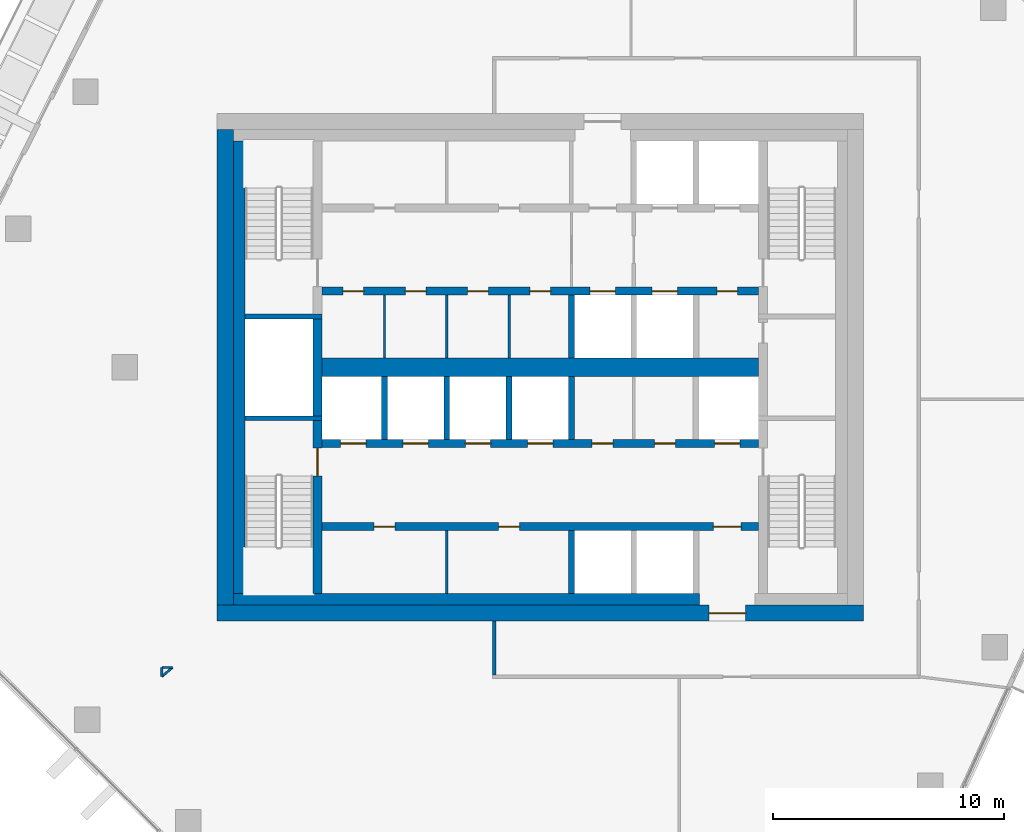
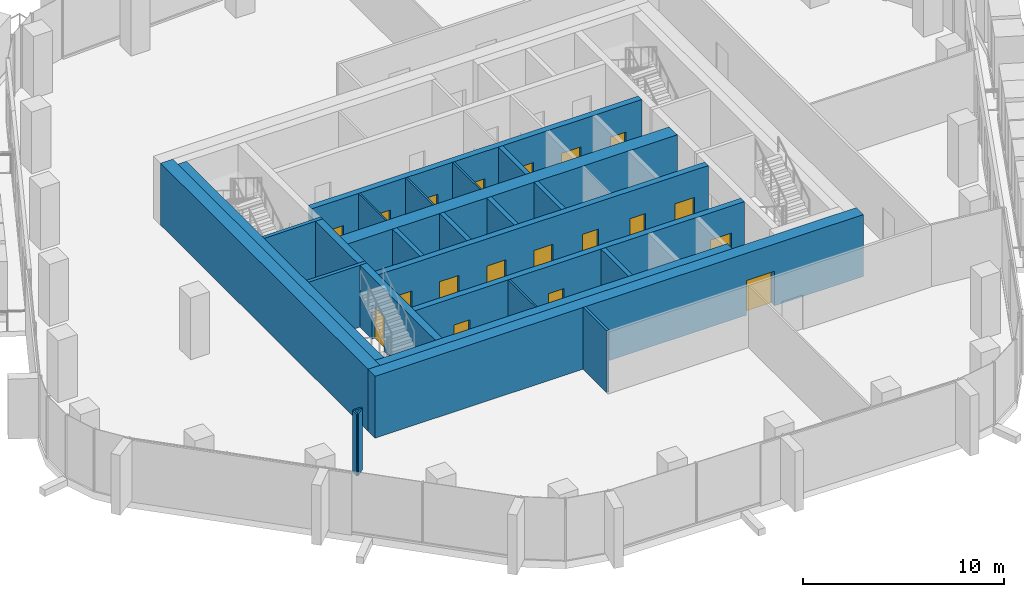
# One storey, part 11 of 21: 26 walls, 19 doors, 19 openings.
"""IFC4 building model written with IfcOpenShell, lengths in metres."""

import ifcopenshell
import ifcopenshell.guid

model = None  # the IFC model being written
_history = None  # IfcOwnerHistory: only IFC2X3 demands one
_inside = {}  # id of a spatial element -> (the spatial element, [elements in it])
_under = {}  # id of a project, library or spatial element -> (it, [spatial elements below it])
_declared = {}  # id of a project -> (the project, [libraries it declares])
_typed = {}  # id of a type object -> (the type object, [elements of that type])
_made_of = {}  # id of a material, layer set ... -> (it, [elements and type objects made of it])


def new_model(schema):
    """Start an empty IFC model of exactly this schema.

    Asked for "IFC4X3", IfcOpenShell would pick the latest addendum, in which some entities
    have other attributes; the version numbers below select the first issue.
    IFC2X3 requires an IfcOwnerHistory on every rooted entity: one is made here for all.
    """
    global model, _history
    if schema == "IFC4X3":
        model = ifcopenshell.file(schema_version=(4, 3, 0, 0))
    else:
        model = ifcopenshell.file(schema=schema)
    _inside.clear()
    _under.clear()
    _declared.clear()
    _typed.clear()
    _made_of.clear()
    _history = None
    if model.schema == "IFC2X3":
        org = make("IfcOrganization", Name="unknown")
        user = make(
            "IfcPersonAndOrganization",
            ThePerson=make("IfcPerson", FamilyName="unknown"),
            TheOrganization=org,
        )
        app = make(
            "IfcApplication",
            ApplicationDeveloper=org,
            Version="unknown",
            ApplicationFullName="unknown",
            ApplicationIdentifier="unknown",
        )
        _history = make(
            "IfcOwnerHistory",
            OwningUser=user,
            OwningApplication=app,
            ChangeAction="ADDED",
            CreationDate=0,
        )
    return model


def make(cls, **values):
    """One entity of the class cls with the attributes given. An attribute that is None is left unset."""
    return model.create_entity(
        cls, **{name: value for name, value in values.items() if value is not None}
    )


def rooted(cls, **values):
    """An entity with a GlobalId (a new one), such as an element, a storey or a relation."""
    return make(cls, GlobalId=ifcopenshell.guid.new(), OwnerHistory=_history, **values)


def si_unit(unit_type, name, prefix=None):
    """IfcSIUnit, for example si_unit("LENGTHUNIT", "METRE", prefix="MILLI")."""
    return make("IfcSIUnit", UnitType=unit_type, Prefix=prefix, Name=name)


def assignment(units):
    """IfcUnitAssignment: the units of a project."""
    return None if units is None else make("IfcUnitAssignment", Units=units)


def point(xyz):
    """IfcCartesianPoint."""
    return None if xyz is None else make("IfcCartesianPoint", Coordinates=xyz)


def direction(xyz):
    """IfcDirection."""
    return None if xyz is None else make("IfcDirection", DirectionRatios=xyz)


def frame(location, z_axis=None, x_axis=None):
    """IfcAxis2Placement3D, a coordinate frame: its origin and axes. An axis left out is left unset."""
    return make(
        "IfcAxis2Placement3D",
        Location=point(location),
        Axis=direction(z_axis),
        RefDirection=direction(x_axis),
    )


def frame_2d(location, x_axis=None):
    """IfcAxis2Placement2D, a coordinate frame in the plane: its origin and x axis."""
    return make(
        "IfcAxis2Placement2D", Location=point(location), RefDirection=direction(x_axis)
    )


def origin():
    """The frame at (0, 0, 0) with its axes left unset."""
    return frame((0.0, 0.0, 0.0))


def place(relative_to, where):
    """IfcLocalPlacement: puts the frame where relative to a parent placement (None: the world)."""
    return make(
        "IfcLocalPlacement", PlacementRelTo=relative_to, RelativePlacement=where
    )


def context(
    kind, dimensions, precision=None, world=None, true_north=None, identifier=None
):
    """IfcGeometricRepresentationContext, for example the 3D "Model" context."""
    return make(
        "IfcGeometricRepresentationContext",
        ContextIdentifier=identifier,
        ContextType=kind,
        CoordinateSpaceDimension=dimensions,
        Precision=precision,
        WorldCoordinateSystem=world,
        TrueNorth=true_north,
    )


def subcontext(parent, identifier, kind, view, scale=None):
    """IfcGeometricRepresentationSubContext, for example "Body" below "Model"."""
    return make(
        "IfcGeometricRepresentationSubContext",
        ContextIdentifier=identifier,
        ContextType=kind,
        ParentContext=parent,
        TargetScale=scale,
        TargetView=view,
    )


def project(units=None, contexts=None):
    """IfcProject with its units and contexts."""
    return rooted(
        "IfcProject",
        Name="project",
        RepresentationContexts=contexts,
        UnitsInContext=assignment(units),
    )


def spatial(cls, under=None, at=None, **own):
    """A site, building, storey or space (cls), placed at a placement, below another one or the project."""
    s = rooted(cls, ObjectPlacement=at, **own)
    if under is not None:
        _under.setdefault(under.id(), (under, []))[1].append(s)
    return s


def profile(cls, at=None, kind="AREA", **sizes):
    """A parametric profile (cls). Its sizes go by their IFC names, for example OverallWidth=200.0."""
    return make(cls, ProfileType=kind, Position=at, **sizes)


def rectangle(**sizes):
    """IfcRectangleProfileDef."""
    return profile("IfcRectangleProfileDef", **sizes)


def extrude(swept, where, along, depth):
    """IfcExtrudedAreaSolid: the profile swept, set in the frame where, extruded along a direction by depth."""
    return make(
        "IfcExtrudedAreaSolid",
        SweptArea=swept,
        Position=where,
        ExtrudedDirection=direction(along),
        Depth=depth,
    )


def shape(context_of_items, identifier, shape_type, items):
    """IfcShapeRepresentation: the items that make up one representation, for example the "Body"."""
    return make(
        "IfcShapeRepresentation",
        ContextOfItems=context_of_items,
        RepresentationIdentifier=identifier,
        RepresentationType=shape_type,
        Items=items,
    )


def material(Name=None, Category=None):
    """IfcMaterial."""
    return make("IfcMaterial", Name=Name, Category=Category)


def layer(
    of_material, thickness, ventilated=None, Name=None, Category=None, Priority=None
):
    """IfcMaterialLayer: one layer of a wall or slab, of a material (None: an air gap)."""
    return make(
        "IfcMaterialLayer",
        Material=of_material,
        LayerThickness=thickness,
        IsVentilated=ventilated,
        Name=Name,
        Category=Category,
        Priority=Priority,
    )


def layer_set(layers, Name=None):
    """IfcMaterialLayerSet."""
    return make("IfcMaterialLayerSet", MaterialLayers=layers, LayerSetName=Name)


def made_of(thing, what):
    """Note that an element or type object is made of a material, layer set ...; save() writes the relation."""
    if what is not None:
        _made_of.setdefault(what.id(), (what, []))[1].append(thing)
    return thing


def type_object(cls, material=None, **own):
    """A type object (cls), such as IfcWallType, which elements share."""
    return made_of(rooted(cls, **own), material)


def element(
    cls,
    number,
    at=None,
    inside=None,
    cuts=None,
    type_object=None,
    material=None,
    context=None,
    identifier="Body",
    shape_type=None,
    held_by="IfcProductDefinitionShape",
    body=None,
    shapes=None,
    **own,
):
    """One element of the class cls, such as IfcWall. Its Tag is "e" and its number.

    at: its placement. inside: the storey or other place that contains it. cuts: it is an
    opening in that element (IfcRelVoidsElement). A single representation is given by context,
    identifier, shape_type and body (its items); several are given by shapes. held_by: the class
    of the entity that holds the representations. save() writes the other relations.
    """
    e = rooted(cls, Tag="e%d" % number, ObjectPlacement=at, **own)
    if body is not None:
        shapes = [shape(context, identifier, shape_type, body)]
    if shapes is not None:
        e.Representation = make(held_by, Representations=shapes)
    if inside is not None:
        _inside.setdefault(inside.id(), (inside, []))[1].append(e)
    if cuts is not None:
        rooted(
            "IfcRelVoidsElement", RelatingBuildingElement=cuts, RelatedOpeningElement=e
        )
    if type_object is not None:
        _typed.setdefault(type_object.id(), (type_object, []))[1].append(e)
    return made_of(e, material)


def fill(opening, filler):
    """IfcRelFillsElement: the door or window that sits in an opening."""
    return rooted(
        "IfcRelFillsElement",
        RelatingOpeningElement=opening,
        RelatedBuildingElement=filler,
    )


def aggregate(whole, parts):
    """IfcRelAggregates: a whole, such as a stair, and the parts it consists of."""
    return rooted("IfcRelAggregates", RelatingObject=whole, RelatedObjects=parts)


def save(model, path):
    """Write the relations noted so far, then the file.

    IfcRelAggregates (storeys below a building ...), IfcRelContainedInSpatialStructure (elements
    in a storey), IfcRelDefinesByType, IfcRelAssociatesMaterial and IfcRelDeclares: one each for
    every whole, place, type object, material and project.
    """
    for whole, parts in _under.values():
        aggregate(whole, parts)
    for where, things in _inside.values():
        rooted(
            "IfcRelContainedInSpatialStructure",
            RelatedElements=things,
            RelatingStructure=where,
        )
    for kind, things in _typed.values():
        rooted("IfcRelDefinesByType", RelatedObjects=things, RelatingType=kind)
    for what, things in _made_of.values():
        rooted("IfcRelAssociatesMaterial", RelatedObjects=things, RelatingMaterial=what)
    for by, libraries in _declared.values():
        rooted("IfcRelDeclares", RelatingContext=by, RelatedDefinitions=libraries)
    model.write(path)


model = new_model("IFC4")

# Units and contexts
model_context = context("Model", 3, precision=1e-05, world=origin(), true_north=direction((0.0, 1.0)))
body_context = subcontext(model_context, "Body", "Model", "MODEL_VIEW")
ifc_project = project(units=[si_unit("LENGTHUNIT", "METRE"), si_unit("AREAUNIT", "SQUARE_METRE"), si_unit("VOLUMEUNIT", "CUBIC_METRE"), si_unit("PLANEANGLEUNIT", "RADIAN"), si_unit("MASSUNIT", "GRAM", prefix="KILO")], contexts=[model_context])

# Site, building, storey
site_placement = place(None, origin())
site = spatial("IfcSite", under=ifc_project, at=site_placement, CompositionType="ELEMENT")
building_placement = place(site_placement, origin())
building = spatial("IfcBuilding", under=site, at=building_placement, Name="Dongbaek Canopy Tower", CompositionType="ELEMENT")
storey_placement = place(building_placement, frame((0.0, 0.0, 232.800048828125)))
storey = spatial("IfcBuildingStorey", under=building, at=storey_placement, Name="L48", CompositionType="ELEMENT", Elevation=232.800048828125)

# Wall
ifc_material_1 = material(Name="Concrete C60/75", Category="concrete")
ifc_layer_1 = layer(ifc_material_1, 0.800048828125)
ifc_layer_set_1 = layer_set([ifc_layer_1], Name="Core central wall 800 Concrete C60/75")
wall_type_1 = type_object("IfcWallType", Name="Core central wall 800 Concrete C60/75", PredefinedType="SHEAR", material=ifc_layer_set_1)
wall_1_placement = place(storey_placement, frame((-9.449951171875, 0.0, 0.0), z_axis=(0.0, 0.0, 1.0), x_axis=(1.0, 0.0, 0.0)))
element("IfcWall", 1, at=wall_1_placement, inside=storey, type_object=wall_type_1, Name="Core wall", PredefinedType="SHEAR", context=body_context, shape_type="SweptSolid", body=[
    extrude(rectangle(XDim=18.89990234375, YDim=0.800048828125, at=frame_2d((9.449951171875, 0.0))), origin(), (0.0, 0.0, 1.0), 3.75),
])

# Wall, openings, doors
ifc_material_2 = material(Name="Concrete C60/75", Category="concrete")
ifc_layer_2 = layer(ifc_material_2, 0.35009765625)
ifc_layer_set_2 = layer_set([ifc_layer_2], Name="Core lobby wall 350 Concrete C60/75")
wall_type_2 = type_object("IfcWallType", Name="Core lobby wall 350 Concrete C60/75", PredefinedType="SHEAR", material=ifc_layer_set_2)
wall_2_placement = place(storey_placement, frame((9.449951171875, 3.300048828125, 0.0), z_axis=(0.0, 0.0, 1.0), x_axis=(-1.0, 0.0, 0.0)))
wall_2 = element("IfcWall", 2, at=wall_2_placement, inside=storey, type_object=wall_type_2, Name="Core wall", PredefinedType="SHEAR", context=body_context, shape_type="SweptSolid", body=[
    extrude(rectangle(XDim=18.89990234375, YDim=0.35009765625, at=frame_2d((9.449951171875, 0.0))), origin(), (0.0, 0.0, 1.0), 3.75),
])
opening_1_placement = place(wall_2_placement, frame((6.199951171875, 0.0, 0.0)))
opening_1 = element("IfcOpeningElement", 3, at=opening_1_placement, cuts=wall_2, Name="Opening L48-D011", PredefinedType="OPENING", context=body_context, shape_type="SweptSolid", body=[
    extrude(rectangle(XDim=1.10009765625, YDim=2.10009765625, at=frame_2d((0.550048828125, 1.050048828125))), frame((0.0, 0.18505859375, 0.0), z_axis=(0.0, -1.0, 0.0), x_axis=(1.0, 0.0, 0.0)), (0.0, 0.0, 1.0), 0.3701171875),
])
opening_2_placement = place(wall_2_placement, frame((3.5, 0.0, 0.0)))
opening_2 = element("IfcOpeningElement", 4, at=opening_2_placement, cuts=wall_2, Name="Opening L48-D012", PredefinedType="OPENING", context=body_context, shape_type="SweptSolid", body=[
    extrude(rectangle(XDim=1.10009765625, YDim=2.10009765625, at=frame_2d((0.550048828125, 1.050048828125))), frame((0.0, 0.18505859375, 0.0), z_axis=(0.0, -1.0, 0.0), x_axis=(1.0, 0.0, 0.0)), (0.0, 0.0, 1.0), 0.3701171875),
])
opening_3_placement = place(wall_2_placement, frame((0.89990234375, 0.0, 0.0)))
opening_3 = element("IfcOpeningElement", 5, at=opening_3_placement, cuts=wall_2, Name="Opening L48-D013", PredefinedType="OPENING", context=body_context, shape_type="SweptSolid", body=[
    extrude(rectangle(XDim=0.89990234375, YDim=2.10009765625, at=frame_2d((0.449951171875, 1.050048828125))), frame((0.0, 0.18505859375, 0.0), z_axis=(0.0, -1.0, 0.0), x_axis=(1.0, 0.0, 0.0)), (0.0, 0.0, 1.0), 0.3701171875),
])
opening_4_placement = place(wall_2_placement, frame((17.10009765625, 0.0, 0.0)))
opening_4 = element("IfcOpeningElement", 6, at=opening_4_placement, cuts=wall_2, Name="Opening L48-D023", PredefinedType="OPENING", context=body_context, shape_type="SweptSolid", body=[
    extrude(rectangle(XDim=0.89990234375, YDim=2.10009765625, at=frame_2d((0.449951171875, 1.050048828125))), frame((0.0, 0.18505859375, 0.0), z_axis=(0.0, -1.0, 0.0), x_axis=(1.0, 0.0, 0.0)), (0.0, 0.0, 1.0), 0.3701171875),
])
opening_5_placement = place(wall_2_placement, frame((14.39990234375, 0.0, 0.0)))
opening_5 = element("IfcOpeningElement", 7, at=opening_5_placement, cuts=wall_2, Name="Opening L48-D024", PredefinedType="OPENING", context=body_context, shape_type="SweptSolid", body=[
    extrude(rectangle(XDim=0.89990234375, YDim=2.10009765625, at=frame_2d((0.449951171875, 1.050048828125))), frame((0.0, 0.18505859375, 0.0), z_axis=(0.0, -1.0, 0.0), x_axis=(1.0, 0.0, 0.0)), (0.0, 0.0, 1.0), 0.3701171875),
])
opening_6_placement = place(wall_2_placement, frame((11.699951171875, 0.0, 0.0)))
opening_6 = element("IfcOpeningElement", 8, at=opening_6_placement, cuts=wall_2, Name="Opening L48-D025", PredefinedType="OPENING", context=body_context, shape_type="SweptSolid", body=[
    extrude(rectangle(XDim=0.89990234375, YDim=2.10009765625, at=frame_2d((0.449951171875, 1.050048828125))), frame((0.0, 0.18505859375, 0.0), z_axis=(0.0, -1.0, 0.0), x_axis=(1.0, 0.0, 0.0)), (0.0, 0.0, 1.0), 0.3701171875),
])
opening_7_placement = place(wall_2_placement, frame((9.0, 0.0, 0.0)))
opening_7 = element("IfcOpeningElement", 9, at=opening_7_placement, cuts=wall_2, Name="Opening L48-D026", PredefinedType="OPENING", context=body_context, shape_type="SweptSolid", body=[
    extrude(rectangle(XDim=0.89990234375, YDim=2.10009765625, at=frame_2d((0.449951171875, 1.050048828125))), frame((0.0, 0.18505859375, 0.0), z_axis=(0.0, -1.0, 0.0), x_axis=(1.0, 0.0, 0.0)), (0.0, 0.0, 1.0), 0.3701171875),
])
ifc_material_3 = material(Name="Steel", Category="steel")
door_type_1 = type_object("IfcDoorType", Name="Core room door 900 x 2100", OperationType="SINGLE_SWING_LEFT", PredefinedType="DOOR", material=ifc_material_3)
door_1_placement = place(opening_3_placement, origin())
door_1 = element("IfcDoor", 10, at=door_1_placement, inside=storey, type_object=door_type_1, Name="Door L48-D013", OperationType="SINGLE_SWING_LEFT", OverallHeight=2.10009765625, OverallWidth=0.89990234375, PredefinedType="DOOR", context=body_context, shape_type="SweptSolid", body=[
    extrude(rectangle(XDim=0.89990234375, YDim=2.10009765625, at=frame_2d((0.449951171875, 1.050048828125))), frame((0.0, 0.02490234375, 0.0), z_axis=(0.0, -1.0, 0.0), x_axis=(1.0, 0.0, 0.0)), (0.0, 0.0, 1.0), 0.050048828125),
])
fill(opening_3, door_1)
door_2_placement = place(opening_4_placement, origin())
door_2 = element("IfcDoor", 11, at=door_2_placement, inside=storey, type_object=door_type_1, Name="Door L48-D023", OperationType="SINGLE_SWING_RIGHT", OverallHeight=2.10009765625, OverallWidth=0.89990234375, PredefinedType="DOOR", context=body_context, shape_type="SweptSolid", body=[
    extrude(rectangle(XDim=0.89990234375, YDim=2.10009765625, at=frame_2d((0.449951171875, 1.050048828125))), frame((0.0, 0.02490234375, 0.0), z_axis=(0.0, -1.0, 0.0), x_axis=(1.0, 0.0, 0.0)), (0.0, 0.0, 1.0), 0.050048828125),
])
fill(opening_4, door_2)
door_3_placement = place(opening_5_placement, origin())
door_3 = element("IfcDoor", 12, at=door_3_placement, inside=storey, type_object=door_type_1, Name="Door L48-D024", OperationType="SINGLE_SWING_LEFT", OverallHeight=2.10009765625, OverallWidth=0.89990234375, PredefinedType="DOOR", context=body_context, shape_type="SweptSolid", body=[
    extrude(rectangle(XDim=0.89990234375, YDim=2.10009765625, at=frame_2d((0.449951171875, 1.050048828125))), frame((0.0, 0.02490234375, 0.0), z_axis=(0.0, -1.0, 0.0), x_axis=(1.0, 0.0, 0.0)), (0.0, 0.0, 1.0), 0.050048828125),
])
fill(opening_5, door_3)
door_4_placement = place(opening_6_placement, origin())
door_4 = element("IfcDoor", 13, at=door_4_placement, inside=storey, type_object=door_type_1, Name="Door L48-D025", OperationType="SINGLE_SWING_RIGHT", OverallHeight=2.10009765625, OverallWidth=0.89990234375, PredefinedType="DOOR", context=body_context, shape_type="SweptSolid", body=[
    extrude(rectangle(XDim=0.89990234375, YDim=2.10009765625, at=frame_2d((0.449951171875, 1.050048828125))), frame((0.0, 0.02490234375, 0.0), z_axis=(0.0, -1.0, 0.0), x_axis=(1.0, 0.0, 0.0)), (0.0, 0.0, 1.0), 0.050048828125),
])
fill(opening_6, door_4)
door_5_placement = place(opening_7_placement, origin())
door_5 = element("IfcDoor", 14, at=door_5_placement, inside=storey, type_object=door_type_1, Name="Door L48-D026", OperationType="SINGLE_SWING_LEFT", OverallHeight=2.10009765625, OverallWidth=0.89990234375, PredefinedType="DOOR", context=body_context, shape_type="SweptSolid", body=[
    extrude(rectangle(XDim=0.89990234375, YDim=2.10009765625, at=frame_2d((0.449951171875, 1.050048828125))), frame((0.0, 0.02490234375, 0.0), z_axis=(0.0, -1.0, 0.0), x_axis=(1.0, 0.0, 0.0)), (0.0, 0.0, 1.0), 0.050048828125),
])
fill(opening_7, door_5)
ifc_material_4 = material(Name="Stainless steel", Category="steel")
door_type_2 = type_object("IfcDoorType", Name="Lift landing door 1100 x 2100", OperationType="DOUBLE_DOOR_SLIDING", PredefinedType="DOOR", material=ifc_material_4)
door_6_placement = place(opening_1_placement, origin())
door_6 = element("IfcDoor", 15, at=door_6_placement, inside=storey, type_object=door_type_2, Name="Landing door SV1", OperationType="DOUBLE_DOOR_SLIDING", OverallHeight=2.10009765625, OverallWidth=1.10009765625, PredefinedType="DOOR", context=body_context, shape_type="SweptSolid", body=[
    extrude(rectangle(XDim=1.10009765625, YDim=2.10009765625, at=frame_2d((0.550048828125, 1.050048828125))), frame((0.0, 0.02490234375, 0.0), z_axis=(0.0, -1.0, 0.0), x_axis=(1.0, 0.0, 0.0)), (0.0, 0.0, 1.0), 0.050048828125),
])
fill(opening_1, door_6)
door_7_placement = place(opening_2_placement, origin())
door_7 = element("IfcDoor", 16, at=door_7_placement, inside=storey, type_object=door_type_2, Name="Landing door FF3", OperationType="DOUBLE_DOOR_SLIDING", OverallHeight=2.10009765625, OverallWidth=1.10009765625, PredefinedType="DOOR", context=body_context, shape_type="SweptSolid", body=[
    extrude(rectangle(XDim=1.10009765625, YDim=2.10009765625, at=frame_2d((0.550048828125, 1.050048828125))), frame((0.0, 0.02490234375, 0.0), z_axis=(0.0, -1.0, 0.0), x_axis=(1.0, 0.0, 0.0)), (0.0, 0.0, 1.0), 0.050048828125),
])
fill(opening_2, door_7)

wall_3_placement = place(storey_placement, frame((-9.449951171875, -3.300048828125, 0.0), z_axis=(0.0, 0.0, 1.0), x_axis=(1.0, 0.0, 0.0)))
wall_3 = element("IfcWall", 17, at=wall_3_placement, inside=storey, type_object=wall_type_2, Name="Core wall", PredefinedType="SHEAR", context=body_context, shape_type="SweptSolid", body=[
    extrude(rectangle(XDim=18.89990234375, YDim=0.35009765625, at=frame_2d((9.449951171875, 0.0))), origin(), (0.0, 0.0, 1.0), 3.75),
])
opening_8_placement = place(wall_3_placement, frame((0.800048828125, 0.0, 0.0)))
opening_8 = element("IfcOpeningElement", 18, at=opening_8_placement, cuts=wall_3, Name="Opening L48-D014", PredefinedType="OPENING", context=body_context, shape_type="SweptSolid", body=[
    extrude(rectangle(XDim=1.10009765625, YDim=2.10009765625, at=frame_2d((0.550048828125, 1.050048828125))), frame((0.0, 0.18505859375, 0.0), z_axis=(0.0, -1.0, 0.0), x_axis=(1.0, 0.0, 0.0)), (0.0, 0.0, 1.0), 0.3701171875),
])
opening_9_placement = place(wall_3_placement, frame((3.5, 0.0, 0.0)))
opening_9 = element("IfcOpeningElement", 19, at=opening_9_placement, cuts=wall_3, Name="Opening L48-D015", PredefinedType="OPENING", context=body_context, shape_type="SweptSolid", body=[
    extrude(rectangle(XDim=1.10009765625, YDim=2.10009765625, at=frame_2d((0.550048828125, 1.050048828125))), frame((0.0, 0.18505859375, 0.0), z_axis=(0.0, -1.0, 0.0), x_axis=(1.0, 0.0, 0.0)), (0.0, 0.0, 1.0), 0.3701171875),
])
opening_10_placement = place(wall_3_placement, frame((6.199951171875, 0.0, 0.0)))
opening_10 = element("IfcOpeningElement", 20, at=opening_10_placement, cuts=wall_3, Name="Opening L48-D016", PredefinedType="OPENING", context=body_context, shape_type="SweptSolid", body=[
    extrude(rectangle(XDim=1.10009765625, YDim=2.10009765625, at=frame_2d((0.550048828125, 1.050048828125))), frame((0.0, 0.18505859375, 0.0), z_axis=(0.0, -1.0, 0.0), x_axis=(1.0, 0.0, 0.0)), (0.0, 0.0, 1.0), 0.3701171875),
])
opening_11_placement = place(wall_3_placement, frame((8.89990234375, 0.0, 0.0)))
opening_11 = element("IfcOpeningElement", 21, at=opening_11_placement, cuts=wall_3, Name="Opening L48-D017", PredefinedType="OPENING", context=body_context, shape_type="SweptSolid", body=[
    extrude(rectangle(XDim=1.10009765625, YDim=2.10009765625, at=frame_2d((0.550048828125, 1.050048828125))), frame((0.0, 0.18505859375, 0.0), z_axis=(0.0, -1.0, 0.0), x_axis=(1.0, 0.0, 0.0)), (0.0, 0.0, 1.0), 0.3701171875),
])
opening_12_placement = place(wall_3_placement, frame((17.0, 0.0, 0.0)))
opening_12 = element("IfcOpeningElement", 22, at=opening_12_placement, cuts=wall_3, Name="Opening L48-D018", PredefinedType="OPENING", context=body_context, shape_type="SweptSolid", body=[
    extrude(rectangle(XDim=1.10009765625, YDim=2.10009765625, at=frame_2d((0.550048828125, 1.050048828125))), frame((0.0, 0.18505859375, 0.0), z_axis=(0.0, -1.0, 0.0), x_axis=(1.0, 0.0, 0.0)), (0.0, 0.0, 1.0), 0.3701171875),
])
opening_13_placement = place(wall_3_placement, frame((11.699951171875, 0.0, 0.0)))
opening_13 = element("IfcOpeningElement", 23, at=opening_13_placement, cuts=wall_3, Name="Opening L48-D027", PredefinedType="OPENING", context=body_context, shape_type="SweptSolid", body=[
    extrude(rectangle(XDim=0.89990234375, YDim=2.10009765625, at=frame_2d((0.449951171875, 1.050048828125))), frame((0.0, 0.18505859375, 0.0), z_axis=(0.0, -1.0, 0.0), x_axis=(1.0, 0.0, 0.0)), (0.0, 0.0, 1.0), 0.3701171875),
])
opening_14_placement = place(wall_3_placement, frame((14.39990234375, 0.0, 0.0)))
opening_14 = element("IfcOpeningElement", 24, at=opening_14_placement, cuts=wall_3, Name="Opening L48-D028", PredefinedType="OPENING", context=body_context, shape_type="SweptSolid", body=[
    extrude(rectangle(XDim=0.89990234375, YDim=2.10009765625, at=frame_2d((0.449951171875, 1.050048828125))), frame((0.0, 0.18505859375, 0.0), z_axis=(0.0, -1.0, 0.0), x_axis=(1.0, 0.0, 0.0)), (0.0, 0.0, 1.0), 0.3701171875),
])
door_8_placement = place(opening_13_placement, origin())
door_8 = element("IfcDoor", 25, at=door_8_placement, inside=storey, type_object=door_type_1, Name="Door L48-D027", OperationType="SINGLE_SWING_RIGHT", OverallHeight=2.10009765625, OverallWidth=0.89990234375, PredefinedType="DOOR", context=body_context, shape_type="SweptSolid", body=[
    extrude(rectangle(XDim=0.89990234375, YDim=2.10009765625, at=frame_2d((0.449951171875, 1.050048828125))), frame((0.0, 0.02490234375, 0.0), z_axis=(0.0, -1.0, 0.0), x_axis=(1.0, 0.0, 0.0)), (0.0, 0.0, 1.0), 0.050048828125),
])
fill(opening_13, door_8)
door_9_placement = place(opening_14_placement, origin())
door_9 = element("IfcDoor", 26, at=door_9_placement, inside=storey, type_object=door_type_1, Name="Door L48-D028", OperationType="SINGLE_SWING_LEFT", OverallHeight=2.10009765625, OverallWidth=0.89990234375, PredefinedType="DOOR", context=body_context, shape_type="SweptSolid", body=[
    extrude(rectangle(XDim=0.89990234375, YDim=2.10009765625, at=frame_2d((0.449951171875, 1.050048828125))), frame((0.0, 0.02490234375, 0.0), z_axis=(0.0, -1.0, 0.0), x_axis=(1.0, 0.0, 0.0)), (0.0, 0.0, 1.0), 0.050048828125),
])
fill(opening_14, door_9)
door_10_placement = place(opening_8_placement, origin())
door_10 = element("IfcDoor", 27, at=door_10_placement, inside=storey, type_object=door_type_2, Name="Landing door MR1", OperationType="DOUBLE_DOOR_SLIDING", OverallHeight=2.10009765625, OverallWidth=1.10009765625, PredefinedType="DOOR", context=body_context, shape_type="SweptSolid", body=[
    extrude(rectangle(XDim=1.10009765625, YDim=2.10009765625, at=frame_2d((0.550048828125, 1.050048828125))), frame((0.0, 0.02490234375, 0.0), z_axis=(0.0, -1.0, 0.0), x_axis=(1.0, 0.0, 0.0)), (0.0, 0.0, 1.0), 0.050048828125),
])
fill(opening_8, door_10)
door_11_placement = place(opening_9_placement, origin())
door_11 = element("IfcDoor", 28, at=door_11_placement, inside=storey, type_object=door_type_2, Name="Landing door MR2", OperationType="DOUBLE_DOOR_SLIDING", OverallHeight=2.10009765625, OverallWidth=1.10009765625, PredefinedType="DOOR", context=body_context, shape_type="SweptSolid", body=[
    extrude(rectangle(XDim=1.10009765625, YDim=2.10009765625, at=frame_2d((0.550048828125, 1.050048828125))), frame((0.0, 0.02490234375, 0.0), z_axis=(0.0, -1.0, 0.0), x_axis=(1.0, 0.0, 0.0)), (0.0, 0.0, 1.0), 0.050048828125),
])
fill(opening_9, door_11)
door_12_placement = place(opening_10_placement, origin())
door_12 = element("IfcDoor", 29, at=door_12_placement, inside=storey, type_object=door_type_2, Name="Landing door MR3", OperationType="DOUBLE_DOOR_SLIDING", OverallHeight=2.10009765625, OverallWidth=1.10009765625, PredefinedType="DOOR", context=body_context, shape_type="SweptSolid", body=[
    extrude(rectangle(XDim=1.10009765625, YDim=2.10009765625, at=frame_2d((0.550048828125, 1.050048828125))), frame((0.0, 0.02490234375, 0.0), z_axis=(0.0, -1.0, 0.0), x_axis=(1.0, 0.0, 0.0)), (0.0, 0.0, 1.0), 0.050048828125),
])
fill(opening_10, door_12)
door_13_placement = place(opening_11_placement, origin())
door_13 = element("IfcDoor", 30, at=door_13_placement, inside=storey, type_object=door_type_2, Name="Landing door MR4", OperationType="DOUBLE_DOOR_SLIDING", OverallHeight=2.10009765625, OverallWidth=1.10009765625, PredefinedType="DOOR", context=body_context, shape_type="SweptSolid", body=[
    extrude(rectangle(XDim=1.10009765625, YDim=2.10009765625, at=frame_2d((0.550048828125, 1.050048828125))), frame((0.0, 0.02490234375, 0.0), z_axis=(0.0, -1.0, 0.0), x_axis=(1.0, 0.0, 0.0)), (0.0, 0.0, 1.0), 0.050048828125),
])
fill(opening_11, door_13)
door_14_placement = place(opening_12_placement, origin())
door_14 = element("IfcDoor", 31, at=door_14_placement, inside=storey, type_object=door_type_2, Name="Landing door SV2", OperationType="DOUBLE_DOOR_SLIDING", OverallHeight=2.10009765625, OverallWidth=1.10009765625, PredefinedType="DOOR", context=body_context, shape_type="SweptSolid", body=[
    extrude(rectangle(XDim=1.10009765625, YDim=2.10009765625, at=frame_2d((0.550048828125, 1.050048828125))), frame((0.0, 0.02490234375, 0.0), z_axis=(0.0, -1.0, 0.0), x_axis=(1.0, 0.0, 0.0)), (0.0, 0.0, 1.0), 0.050048828125),
])
fill(opening_12, door_14)

wall_4_placement = place(storey_placement, frame((9.449951171875, -6.89990234375, 0.0), z_axis=(0.0, 0.0, 1.0), x_axis=(-1.0, 0.0, 0.0)))
wall_4 = element("IfcWall", 32, at=wall_4_placement, inside=storey, type_object=wall_type_2, Name="Core wall", PredefinedType="SHEAR", context=body_context, shape_type="SweptSolid", body=[
    extrude(rectangle(XDim=18.89990234375, YDim=0.35009765625, at=frame_2d((9.449951171875, 0.0))), origin(), (0.0, 0.0, 1.0), 3.75),
])
opening_15_placement = place(wall_4_placement, frame((0.75, 0.0, 0.0)))
opening_15 = element("IfcOpeningElement", 33, at=opening_15_placement, cuts=wall_4, Name="Opening L48-D020", PredefinedType="OPENING", context=body_context, shape_type="SweptSolid", body=[
    extrude(rectangle(XDim=1.199951171875, YDim=2.10009765625, at=frame_2d((0.60009765625, 1.050048828125))), frame((0.0, 0.18505859375, 0.0), z_axis=(0.0, -1.0, 0.0), x_axis=(1.0, 0.0, 0.0)), (0.0, 0.0, 1.0), 0.3701171875),
])
opening_16_placement = place(wall_4_placement, frame((15.75, 0.0, 0.0)))
opening_16 = element("IfcOpeningElement", 34, at=opening_16_placement, cuts=wall_4, Name="Opening L48-D029", PredefinedType="OPENING", context=body_context, shape_type="SweptSolid", body=[
    extrude(rectangle(XDim=0.89990234375, YDim=2.10009765625, at=frame_2d((0.449951171875, 1.050048828125))), frame((0.0, 0.18505859375, 0.0), z_axis=(0.0, -1.0, 0.0), x_axis=(1.0, 0.0, 0.0)), (0.0, 0.0, 1.0), 0.3701171875),
])
opening_17_placement = place(wall_4_placement, frame((10.35009765625, 0.0, 0.0)))
opening_17 = element("IfcOpeningElement", 35, at=opening_17_placement, cuts=wall_4, Name="Opening L48-D030", PredefinedType="OPENING", context=body_context, shape_type="SweptSolid", body=[
    extrude(rectangle(XDim=0.89990234375, YDim=2.10009765625, at=frame_2d((0.449951171875, 1.050048828125))), frame((0.0, 0.18505859375, 0.0), z_axis=(0.0, -1.0, 0.0), x_axis=(1.0, 0.0, 0.0)), (0.0, 0.0, 1.0), 0.3701171875),
])
door_15_placement = place(opening_16_placement, origin())
door_15 = element("IfcDoor", 36, at=door_15_placement, inside=storey, type_object=door_type_1, Name="Door L48-D029", OperationType="SINGLE_SWING_RIGHT", OverallHeight=2.10009765625, OverallWidth=0.89990234375, PredefinedType="DOOR", context=body_context, shape_type="SweptSolid", body=[
    extrude(rectangle(XDim=0.89990234375, YDim=2.10009765625, at=frame_2d((0.449951171875, 1.050048828125))), frame((0.0, 0.02490234375, 0.0), z_axis=(0.0, -1.0, 0.0), x_axis=(1.0, 0.0, 0.0)), (0.0, 0.0, 1.0), 0.050048828125),
])
fill(opening_16, door_15)
door_16_placement = place(opening_17_placement, origin())
door_16 = element("IfcDoor", 37, at=door_16_placement, inside=storey, type_object=door_type_1, Name="Door L48-D030", OperationType="SINGLE_SWING_LEFT", OverallHeight=2.10009765625, OverallWidth=0.89990234375, PredefinedType="DOOR", context=body_context, shape_type="SweptSolid", body=[
    extrude(rectangle(XDim=0.89990234375, YDim=2.10009765625, at=frame_2d((0.449951171875, 1.050048828125))), frame((0.0, 0.02490234375, 0.0), z_axis=(0.0, -1.0, 0.0), x_axis=(1.0, 0.0, 0.0)), (0.0, 0.0, 1.0), 0.050048828125),
])
fill(opening_17, door_16)
ifc_material_5 = material(Name="Steel", Category="steel")
door_type_3 = type_object("IfcDoorType", Name="Fire lobby door 1200 x 2100", OperationType="SINGLE_SWING_LEFT", PredefinedType="DOOR", material=ifc_material_5)
door_17_placement = place(opening_15_placement, origin())
door_17 = element("IfcDoor", 38, at=door_17_placement, inside=storey, type_object=door_type_3, Name="Door L48-D020", OperationType="SINGLE_SWING_LEFT", OverallHeight=2.10009765625, OverallWidth=1.199951171875, PredefinedType="DOOR", context=body_context, shape_type="SweptSolid", body=[
    extrude(rectangle(XDim=1.199951171875, YDim=2.10009765625, at=frame_2d((0.60009765625, 1.050048828125))), frame((0.0, 0.02490234375, 0.0), z_axis=(0.0, -1.0, 0.0), x_axis=(1.0, 0.0, 0.0)), (0.0, 0.0, 1.0), 0.050048828125),
])
fill(opening_15, door_17)

# Wall, opening, door
ifc_material_6 = material(Name="Concrete C70/85", Category="concrete")
ifc_layer_3 = layer(ifc_material_6, 0.699951171875)
ifc_layer_set_3 = layer_set([ifc_layer_3], Name="Core outer wall 700 Concrete C70/85")
wall_type_3 = type_object("IfcWallType", Name="Core outer wall 700 Concrete C70/85", PredefinedType="SHEAR", material=ifc_layer_set_3)
wall_5_placement = place(storey_placement, frame((14.0, -10.64990234375, 0.0), z_axis=(0.0, 0.0, 1.0), x_axis=(-1.0, 0.0, 0.0)))
wall_5 = element("IfcWall", 39, at=wall_5_placement, inside=storey, type_object=wall_type_3, Name="Core wall", PredefinedType="SHEAR", context=body_context, shape_type="SweptSolid", body=[
    extrude(rectangle(XDim=28.0, YDim=0.699951171875, at=frame_2d((14.0, 0.0))), origin(), (0.0, 0.0, 1.0), 3.75),
])
opening_18_placement = place(wall_5_placement, frame((5.10009765625, 0.0, 0.0)))
opening_18 = element("IfcOpeningElement", 40, at=opening_18_placement, cuts=wall_5, Name="Opening L48-D019", PredefinedType="OPENING", context=body_context, shape_type="SweptSolid", body=[
    extrude(rectangle(XDim=1.60009765625, YDim=2.10009765625, at=frame_2d((0.800048828125, 1.050048828125))), frame((0.0, 0.35986328125, 0.0), z_axis=(0.0, -1.0, 0.0), x_axis=(1.0, 0.0, 0.0)), (0.0, 0.0, 1.0), 0.719970703125),
])
ifc_material_7 = material(Name="Steel", Category="steel")
door_type_4 = type_object("IfcDoorType", Name="Core exit door 1600 x 2100", OperationType="DOUBLE_DOOR_SINGLE_SWING", PredefinedType="DOOR", material=ifc_material_7)
door_18_placement = place(opening_18_placement, origin())
door_18 = element("IfcDoor", 41, at=door_18_placement, inside=storey, type_object=door_type_4, Name="Core exit door", OperationType="DOUBLE_DOOR_SINGLE_SWING", OverallHeight=2.10009765625, OverallWidth=1.60009765625, PredefinedType="DOOR", context=body_context, shape_type="SweptSolid", body=[
    extrude(rectangle(XDim=1.60009765625, YDim=2.10009765625, at=frame_2d((0.800048828125, 1.050048828125))), frame((0.0, 0.02490234375, 0.0), z_axis=(0.0, -1.0, 0.0), x_axis=(1.0, 0.0, 0.0)), (0.0, 0.0, 1.0), 0.050048828125),
])
fill(opening_18, door_18)

# Walls
wall_6_placement = place(storey_placement, frame((-13.64990234375, -10.300048828125, 0.0), z_axis=(0.0, 0.0, 1.0), x_axis=(0.0, 1.0, 0.0)))
element("IfcWall", 42, at=wall_6_placement, inside=storey, type_object=wall_type_3, Name="Core wall", PredefinedType="SHEAR", context=body_context, shape_type="SweptSolid", body=[
    extrude(rectangle(XDim=20.60009765625, YDim=0.699951171875, at=frame_2d((10.300048828125, 0.0))), origin(), (0.0, 0.0, 1.0), 3.75),
])
ifc_material_8 = material(Name="Concrete C60/75", Category="concrete")
ifc_layer_4 = layer(ifc_material_8, 0.5)
ifc_layer_set_4 = layer_set([ifc_layer_4], Name="Core wall lining 500 Concrete C60/75")
wall_type_4 = type_object("IfcWallType", Name="Core wall lining 500 Concrete C60/75", PredefinedType="SHEAR", material=ifc_layer_set_4)
wall_7_placement = place(storey_placement, frame((6.89990234375, -10.050048828125, 0.0), z_axis=(0.0, 0.0, 1.0), x_axis=(-1.0, 0.0, 0.0)))
element("IfcWall", 43, at=wall_7_placement, inside=storey, type_object=wall_type_4, Name="Core wall lining", PredefinedType="SHEAR", context=body_context, shape_type="SweptSolid", body=[
    extrude(rectangle(XDim=20.199951171875, YDim=0.5, at=frame_2d((10.10009765625, 0.0))), origin(), (0.0, 0.0, 1.0), 3.75),
])
wall_8_placement = place(storey_placement, frame((-13.050048828125, -9.800048828125, 0.0), z_axis=(0.0, 0.0, 1.0), x_axis=(0.0, 1.0, 0.0)))
element("IfcWall", 44, at=wall_8_placement, inside=storey, type_object=wall_type_4, Name="Core wall lining", PredefinedType="SHEAR", context=body_context, shape_type="SweptSolid", body=[
    extrude(rectangle(XDim=19.60009765625, YDim=0.5, at=frame_2d((9.800048828125, 0.0))), origin(), (0.0, 0.0, 1.0), 3.75),
])
ifc_material_9 = material(Name="Gypsum board partition, steel stud, 2 x 15 mm fire board", Category="steel")
ifc_layer_5 = layer(ifc_material_9, 0.14990234375)
ifc_layer_set_5 = layer_set([ifc_layer_5], Name="Fire-rated partition 150 gypsum board")
wall_type_5 = type_object("IfcWallType", Name="Fire-rated partition 150 gypsum board", PredefinedType="PARTITIONING", material=ifc_layer_set_5)
wall_9_placement = place(storey_placement, frame((-2.0, -13.324951171875, 0.0), z_axis=(0.0, 0.0, 1.0), x_axis=(0.0, 1.0, 0.0)))
element("IfcWall", 45, at=wall_9_placement, inside=storey, type_object=wall_type_5, Name="Corridor partition", PredefinedType="PARTITIONING", context=body_context, shape_type="SweptSolid", body=[
    extrude(rectangle(XDim=2.324951171875, YDim=0.14990234375, at=frame_2d((1.16259765625, 0.0))), origin(), (0.0, 0.0, 1.0), 3.75),
])
ifc_material_10 = material(Name="Concrete C40/50", Category="concrete")
ifc_layer_6 = layer(ifc_material_10, 0.25)
ifc_layer_set_6 = layer_set([ifc_layer_6], Name="Lift shaft wall 250 Concrete C40/50")
wall_type_6 = type_object("IfcWallType", Name="Lift shaft wall 250 Concrete C40/50", PredefinedType="SOLIDWALL", material=ifc_layer_set_6)
for number, where, z_axis, x_axis, name in (
    (46, (1.35009765625, -9.800048828125, 0.0), (0.0, 0.0, 1.0), (0.0, 1.0, 0.0), "Lift shaft wall"),
    (47, (1.35009765625, -3.125, 0.0), (0.0, 0.0, 1.0), (0.0, 1.0, 0.0), "Lift shaft wall"),
    (48, (1.35009765625, 0.39990234375, 0.0), (0.0, 0.0, 1.0), (0.0, 1.0, 0.0), "Lift shaft wall"),
    (49, (-1.35009765625, -3.125, 0.0), (0.0, 0.0, 1.0), (0.0, 1.0, 0.0), "Lift shaft wall"),
    (50, (-4.050048828125, -3.125, 0.0), (0.0, 0.0, 1.0), (0.0, 1.0, 0.0), "Lift shaft wall"),
    (51, (-6.75, -3.125, 0.0), (0.0, 0.0, 1.0), (0.0, 1.0, 0.0), "Lift shaft wall"),
):
    element("IfcWall", number, at=place(storey_placement, frame(where, z_axis=z_axis, x_axis=x_axis)), inside=storey, type_object=wall_type_6, Name=name, PredefinedType="SOLIDWALL", context=body_context, shape_type="SweptSolid", body=[
        extrude(rectangle(XDim=2.72509765625, YDim=0.25, at=frame_2d((1.362548828125, 0.0))), origin(), (0.0, 0.0, 1.0), 3.75),
    ])
ifc_material_11 = material(Name="Gypsum board partition, steel stud, 2 x 12.5 mm board", Category="steel")
ifc_layer_7 = layer(ifc_material_11, 0.10009765625)
ifc_layer_set_7 = layer_set([ifc_layer_7], Name="Partition 100 gypsum board")
wall_type_7 = type_object("IfcWallType", Name="Partition 100 gypsum board", PredefinedType="PARTITIONING", material=ifc_layer_set_7)
wall_10_placement = place(storey_placement, frame((-16.392578125, -13.001953125, 0.0), z_axis=(0.0, 0.0, 1.0), x_axis=(1.0, 0.0, 0.0)))
element("IfcWall", 52, at=wall_10_placement, inside=storey, type_object=wall_type_7, Name="Partition", PredefinedType="PARTITIONING", context=body_context, shape_type="SweptSolid", body=[
    extrude(rectangle(XDim=0.461181640625, YDim=0.10009765625, at=frame_2d((0.23046875, 0.0))), origin(), (0.0, 0.0, 1.0), 3.75),
])
wall_11_placement = place(storey_placement, frame((-16.399658203125, -13.400390625, 0.0), z_axis=(0.0, 0.0, 1.0), x_axis=(0.761939317759, 0.647648420096, 0.0)))
element("IfcWall", 53, at=wall_11_placement, inside=storey, type_object=wall_type_7, Name="Partition", PredefinedType="PARTITIONING", context=body_context, shape_type="SweptSolid", body=[
    extrude(rectangle(XDim=0.615234375, YDim=0.10009765625, at=frame_2d((0.3076171875, 0.0))), origin(), (0.0, 0.0, 1.0), 3.75),
])
wall_12_placement = place(storey_placement, frame((-16.400146484375, -13.39990234375, 0.0), z_axis=(0.0, 0.0, 1.0), x_axis=(0.01899167212, 0.999819641931, 0.0)))
element("IfcWall", 54, at=wall_12_placement, inside=storey, type_object=wall_type_7, Name="Partition", PredefinedType="PARTITIONING", context=body_context, shape_type="SweptSolid", body=[
    extrude(rectangle(XDim=0.3984375, YDim=0.10009765625, at=frame_2d((0.19921875, 0.0))), origin(), (0.0, 0.0, 1.0), 3.75),
])
for number, where, z_axis, x_axis, name in (
    (55, (-1.35009765625, 0.39990234375, 0.0), (0.0, 0.0, 1.0), (0.0, 1.0, 0.0), "Core partition"),
    (56, (-4.050048828125, -9.800048828125, 0.0), (0.0, 0.0, 1.0), (0.0, 1.0, 0.0), "Core partition"),
    (57, (-4.050048828125, 0.39990234375, 0.0), (0.0, 0.0, 1.0), (0.0, 1.0, 0.0), "Core partition"),
    (58, (-6.75, 0.39990234375, 0.0), (0.0, 0.0, 1.0), (0.0, 1.0, 0.0), "Core partition"),
):
    element("IfcWall", number, at=place(storey_placement, frame(where, z_axis=z_axis, x_axis=x_axis)), inside=storey, type_object=wall_type_7, Name=name, PredefinedType="PARTITIONING", context=body_context, shape_type="SweptSolid", body=[
        extrude(rectangle(XDim=2.72509765625, YDim=0.10009765625, at=frame_2d((1.362548828125, 0.0))), origin(), (0.0, 0.0, 1.0), 3.75),
    ])
ifc_material_12 = material(Name="Concrete C60/75", Category="concrete")
ifc_layer_8 = layer(ifc_material_12, 0.199951171875)
ifc_layer_set_8 = layer_set([ifc_layer_8], Name="Riser wall 200 Concrete C60/75")
wall_type_8 = type_object("IfcWallType", Name="Riser wall 200 Concrete C60/75", PredefinedType="SHEAR", material=ifc_layer_set_8)
for number, where, z_axis, x_axis, name in (
    (59, (-9.449951171875, 2.199951171875, 0.0), (0.0, 0.0, 1.0), (-1.0, 0.0, 0.0), "Riser wall"),
    (60, (-9.449951171875, -2.199951171875, 0.0), (0.0, 0.0, 1.0), (-1.0, 0.0, 0.0), "Riser wall"),
):
    element("IfcWall", number, at=place(storey_placement, frame(where, z_axis=z_axis, x_axis=x_axis)), inside=storey, type_object=wall_type_8, Name=name, PredefinedType="SHEAR", context=body_context, shape_type="SweptSolid", body=[
        extrude(rectangle(XDim=3.35009765625, YDim=0.199951171875, at=frame_2d((1.675048828125, 0.0))), origin(), (0.0, 0.0, 1.0), 3.75),
    ])

# Wall, opening, door
ifc_material_13 = material(Name="Concrete C60/75", Category="concrete")
ifc_layer_9 = layer(ifc_material_13, 0.39990234375)
ifc_layer_set_9 = layer_set([ifc_layer_9], Name="Stair wall 400 Concrete C60/75")
wall_type_9 = type_object("IfcWallType", Name="Stair wall 400 Concrete C60/75", PredefinedType="SHEAR", material=ifc_layer_set_9)
wall_13_placement = place(storey_placement, frame((-9.64990234375, -9.800048828125, 0.0), z_axis=(0.0, 0.0, 1.0), x_axis=(0.0, 1.0, 0.0)))
wall_13 = element("IfcWall", 61, at=wall_13_placement, inside=storey, type_object=wall_type_9, Name="Stair wall", PredefinedType="SHEAR", context=body_context, shape_type="SweptSolid", body=[
    extrude(rectangle(XDim=7.5, YDim=0.39990234375, at=frame_2d((3.75, 0.0))), origin(), (0.0, 0.0, 1.0), 3.75),
])
opening_19_placement = place(wall_13_placement, frame((5.10009765625, 0.0, 0.0)))
opening_19 = element("IfcOpeningElement", 62, at=opening_19_placement, cuts=wall_13, Name="Opening L48-D034", PredefinedType="OPENING", context=body_context, shape_type="SweptSolid", body=[
    extrude(rectangle(XDim=1.199951171875, YDim=2.10009765625, at=frame_2d((0.60009765625, 1.050048828125))), frame((0.0, 0.2099609375, 0.0), z_axis=(0.0, -1.0, 0.0), x_axis=(1.0, 0.0, 0.0)), (0.0, 0.0, 1.0), 0.419921875),
])
ifc_material_14 = material(Name="Steel", Category="steel")
door_type_5 = type_object("IfcDoorType", Name="Stair door 1200 x 2100", OperationType="SINGLE_SWING_LEFT", PredefinedType="DOOR", material=ifc_material_14)
door_19_placement = place(opening_19_placement, origin())
door_19 = element("IfcDoor", 63, at=door_19_placement, inside=storey, type_object=door_type_5, Name="Stair D door", OperationType="SINGLE_SWING_LEFT", OverallHeight=2.10009765625, OverallWidth=1.199951171875, PredefinedType="DOOR", context=body_context, shape_type="SweptSolid", body=[
    extrude(rectangle(XDim=1.199951171875, YDim=2.10009765625, at=frame_2d((0.60009765625, 1.050048828125))), frame((0.0, 0.02490234375, 0.0), z_axis=(0.0, -1.0, 0.0), x_axis=(1.0, 0.0, 0.0)), (0.0, 0.0, 1.0), 0.050048828125),
])
fill(opening_19, door_19)

# Wall
wall_14_placement = place(storey_placement, frame((-9.64990234375, -2.10009765625, 0.0), z_axis=(0.0, 0.0, 1.0), x_axis=(0.0, 1.0, 0.0)))
element("IfcWall", 64, at=wall_14_placement, inside=storey, type_object=wall_type_9, Name="Stair wall", PredefinedType="SHEAR", context=body_context, shape_type="SweptSolid", body=[
    extrude(rectangle(XDim=4.2001953125, YDim=0.39990234375, at=frame_2d((2.10009765625, 0.0))), origin(), (0.0, 0.0, 1.0), 3.75),
])

save(model, "model.ifc")
